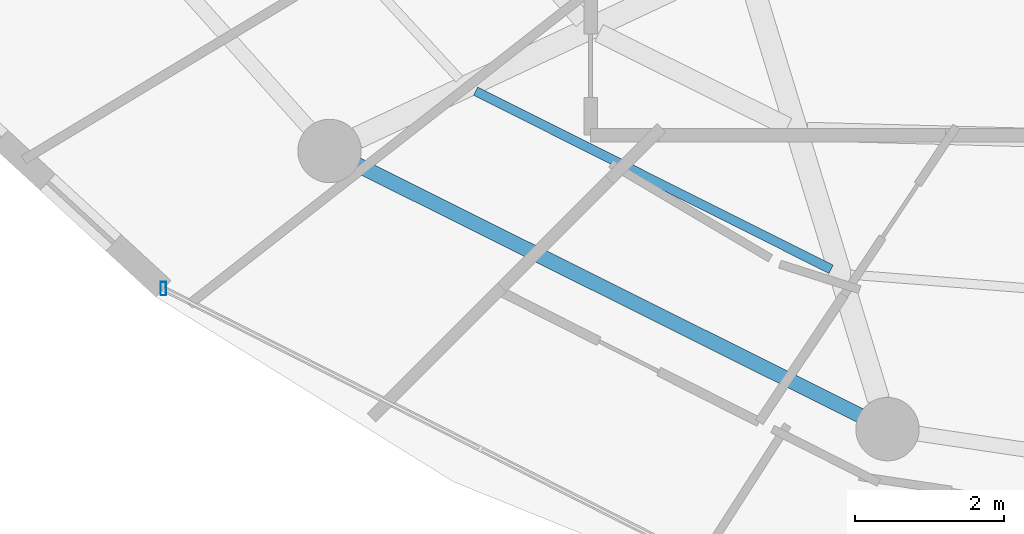
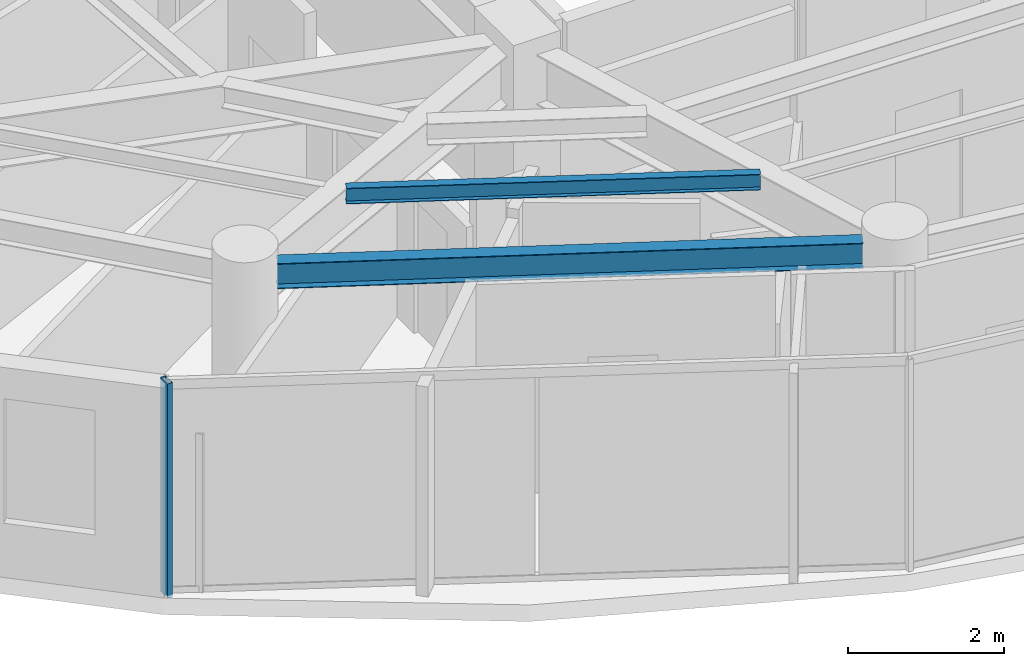
# One storey, part 2 of 29: 2 beams, 1 member, 1 element without a shape of its own.
"""IFC4 building model written with IfcOpenShell, lengths in metres."""

import ifcopenshell
import ifcopenshell.guid

model = None  # the IFC model being written
_history = None  # IfcOwnerHistory: only IFC2X3 demands one
_inside = {}  # id of a spatial element -> (the spatial element, [elements in it])
_under = {}  # id of a project, library or spatial element -> (it, [spatial elements below it])
_declared = {}  # id of a project -> (the project, [libraries it declares])
_typed = {}  # id of a type object -> (the type object, [elements of that type])
_made_of = {}  # id of a material, layer set ... -> (it, [elements and type objects made of it])


def new_model(schema):
    """Start an empty IFC model of exactly this schema.

    Asked for "IFC4X3", IfcOpenShell would pick the latest addendum, in which some entities
    have other attributes; the version numbers below select the first issue.
    IFC2X3 requires an IfcOwnerHistory on every rooted entity: one is made here for all.
    """
    global model, _history
    if schema == "IFC4X3":
        model = ifcopenshell.file(schema_version=(4, 3, 0, 0))
    else:
        model = ifcopenshell.file(schema=schema)
    _inside.clear()
    _under.clear()
    _declared.clear()
    _typed.clear()
    _made_of.clear()
    _history = None
    if model.schema == "IFC2X3":
        org = make("IfcOrganization", Name="unknown")
        user = make(
            "IfcPersonAndOrganization",
            ThePerson=make("IfcPerson", FamilyName="unknown"),
            TheOrganization=org,
        )
        app = make(
            "IfcApplication",
            ApplicationDeveloper=org,
            Version="unknown",
            ApplicationFullName="unknown",
            ApplicationIdentifier="unknown",
        )
        _history = make(
            "IfcOwnerHistory",
            OwningUser=user,
            OwningApplication=app,
            ChangeAction="ADDED",
            CreationDate=0,
        )
    return model


def make(cls, **values):
    """One entity of the class cls with the attributes given. An attribute that is None is left unset."""
    return model.create_entity(
        cls, **{name: value for name, value in values.items() if value is not None}
    )


def rooted(cls, **values):
    """An entity with a GlobalId (a new one), such as an element, a storey or a relation."""
    return make(cls, GlobalId=ifcopenshell.guid.new(), OwnerHistory=_history, **values)


def si_unit(unit_type, name, prefix=None):
    """IfcSIUnit, for example si_unit("LENGTHUNIT", "METRE", prefix="MILLI")."""
    return make("IfcSIUnit", UnitType=unit_type, Prefix=prefix, Name=name)


def assignment(units):
    """IfcUnitAssignment: the units of a project."""
    return None if units is None else make("IfcUnitAssignment", Units=units)


def point(xyz):
    """IfcCartesianPoint."""
    return None if xyz is None else make("IfcCartesianPoint", Coordinates=xyz)


def direction(xyz):
    """IfcDirection."""
    return None if xyz is None else make("IfcDirection", DirectionRatios=xyz)


def frame(location, z_axis=None, x_axis=None):
    """IfcAxis2Placement3D, a coordinate frame: its origin and axes. An axis left out is left unset."""
    return make(
        "IfcAxis2Placement3D",
        Location=point(location),
        Axis=direction(z_axis),
        RefDirection=direction(x_axis),
    )


def frame_2d(location, x_axis=None):
    """IfcAxis2Placement2D, a coordinate frame in the plane: its origin and x axis."""
    return make(
        "IfcAxis2Placement2D", Location=point(location), RefDirection=direction(x_axis)
    )


def origin():
    """The frame at (0, 0, 0) with its axes left unset."""
    return frame((0.0, 0.0, 0.0))


def origin_2d():
    """The frame at (0, 0) in the plane with its x axis left unset."""
    return frame_2d((0.0, 0.0))


def place(relative_to, where):
    """IfcLocalPlacement: puts the frame where relative to a parent placement (None: the world)."""
    return make(
        "IfcLocalPlacement", PlacementRelTo=relative_to, RelativePlacement=where
    )


def context(
    kind, dimensions, precision=None, world=None, true_north=None, identifier=None
):
    """IfcGeometricRepresentationContext, for example the 3D "Model" context."""
    return make(
        "IfcGeometricRepresentationContext",
        ContextIdentifier=identifier,
        ContextType=kind,
        CoordinateSpaceDimension=dimensions,
        Precision=precision,
        WorldCoordinateSystem=world,
        TrueNorth=true_north,
    )


def subcontext(parent, identifier, kind, view, scale=None):
    """IfcGeometricRepresentationSubContext, for example "Body" below "Model"."""
    return make(
        "IfcGeometricRepresentationSubContext",
        ContextIdentifier=identifier,
        ContextType=kind,
        ParentContext=parent,
        TargetScale=scale,
        TargetView=view,
    )


def project(units=None, contexts=None):
    """IfcProject with its units and contexts."""
    return rooted(
        "IfcProject",
        Name="project",
        RepresentationContexts=contexts,
        UnitsInContext=assignment(units),
    )


def spatial(cls, under=None, at=None, **own):
    """A site, building, storey or space (cls), placed at a placement, below another one or the project."""
    s = rooted(cls, ObjectPlacement=at, **own)
    if under is not None:
        _under.setdefault(under.id(), (under, []))[1].append(s)
    return s


def profile(cls, at=None, kind="AREA", **sizes):
    """A parametric profile (cls). Its sizes go by their IFC names, for example OverallWidth=200.0."""
    return make(cls, ProfileType=kind, Position=at, **sizes)


def hollow_rectangle(**sizes):
    """IfcRectangleHollowProfileDef."""
    return profile("IfcRectangleHollowProfileDef", **sizes)


def i_section(**sizes):
    """IfcIShapeProfileDef."""
    return profile("IfcIShapeProfileDef", **sizes)


def extrude(swept, where, along, depth):
    """IfcExtrudedAreaSolid: the profile swept, set in the frame where, extruded along a direction by depth."""
    return make(
        "IfcExtrudedAreaSolid",
        SweptArea=swept,
        Position=where,
        ExtrudedDirection=direction(along),
        Depth=depth,
    )


def shape(context_of_items, identifier, shape_type, items):
    """IfcShapeRepresentation: the items that make up one representation, for example the "Body"."""
    return make(
        "IfcShapeRepresentation",
        ContextOfItems=context_of_items,
        RepresentationIdentifier=identifier,
        RepresentationType=shape_type,
        Items=items,
    )


def material(Name=None, Category=None):
    """IfcMaterial."""
    return make("IfcMaterial", Name=Name, Category=Category)


def material_profile(
    of_material, cross_section, Name=None, Category=None, Priority=None
):
    """IfcMaterialProfile: a cross section and its material."""
    return make(
        "IfcMaterialProfile",
        Name=Name,
        Material=of_material,
        Profile=cross_section,
        Priority=Priority,
        Category=Category,
    )


def profile_set(profiles, Name=None, composite=None):
    """IfcMaterialProfileSet."""
    return make(
        "IfcMaterialProfileSet",
        Name=Name,
        MaterialProfiles=profiles,
        CompositeProfile=composite,
    )


def made_of(thing, what):
    """Note that an element or type object is made of a material, layer set ...; save() writes the relation."""
    if what is not None:
        _made_of.setdefault(what.id(), (what, []))[1].append(thing)
    return thing


def type_object(cls, material=None, **own):
    """A type object (cls), such as IfcWallType, which elements share."""
    return made_of(rooted(cls, **own), material)


def element(
    cls,
    number,
    at=None,
    inside=None,
    cuts=None,
    type_object=None,
    material=None,
    context=None,
    identifier="Body",
    shape_type=None,
    held_by="IfcProductDefinitionShape",
    body=None,
    shapes=None,
    **own,
):
    """One element of the class cls, such as IfcWall. Its Tag is "e" and its number.

    at: its placement. inside: the storey or other place that contains it. cuts: it is an
    opening in that element (IfcRelVoidsElement). A single representation is given by context,
    identifier, shape_type and body (its items); several are given by shapes. held_by: the class
    of the entity that holds the representations. save() writes the other relations.
    """
    e = rooted(cls, Tag="e%d" % number, ObjectPlacement=at, **own)
    if body is not None:
        shapes = [shape(context, identifier, shape_type, body)]
    if shapes is not None:
        e.Representation = make(held_by, Representations=shapes)
    if inside is not None:
        _inside.setdefault(inside.id(), (inside, []))[1].append(e)
    if cuts is not None:
        rooted(
            "IfcRelVoidsElement", RelatingBuildingElement=cuts, RelatedOpeningElement=e
        )
    if type_object is not None:
        _typed.setdefault(type_object.id(), (type_object, []))[1].append(e)
    return made_of(e, material)


def aggregate(whole, parts):
    """IfcRelAggregates: a whole, such as a stair, and the parts it consists of."""
    return rooted("IfcRelAggregates", RelatingObject=whole, RelatedObjects=parts)


def save(model, path):
    """Write the relations noted so far, then the file.

    IfcRelAggregates (storeys below a building ...), IfcRelContainedInSpatialStructure (elements
    in a storey), IfcRelDefinesByType, IfcRelAssociatesMaterial and IfcRelDeclares: one each for
    every whole, place, type object, material and project.
    """
    for whole, parts in _under.values():
        aggregate(whole, parts)
    for where, things in _inside.values():
        rooted(
            "IfcRelContainedInSpatialStructure",
            RelatedElements=things,
            RelatingStructure=where,
        )
    for kind, things in _typed.values():
        rooted("IfcRelDefinesByType", RelatedObjects=things, RelatingType=kind)
    for what, things in _made_of.values():
        rooted("IfcRelAssociatesMaterial", RelatedObjects=things, RelatingMaterial=what)
    for by, libraries in _declared.values():
        rooted("IfcRelDeclares", RelatingContext=by, RelatedDefinitions=libraries)
    model.write(path)


model = new_model("IFC4")

# Units and contexts
model_context = context("Model", 3, precision=1e-05, world=origin(), true_north=direction((0.0, 1.0)))
body_context = subcontext(model_context, "Body", "Model", "MODEL_VIEW")
ifc_project = project(units=[si_unit("LENGTHUNIT", "METRE"), si_unit("AREAUNIT", "SQUARE_METRE"), si_unit("VOLUMEUNIT", "CUBIC_METRE"), si_unit("PLANEANGLEUNIT", "RADIAN"), si_unit("MASSUNIT", "GRAM", prefix="KILO")], contexts=[model_context])

# Site, building, storey
site_placement = place(None, origin())
site = spatial("IfcSite", under=ifc_project, at=site_placement, CompositionType="ELEMENT")
building_placement = place(site_placement, origin())
building = spatial("IfcBuilding", under=site, at=building_placement, Name="Vorneva Point Tower", CompositionType="ELEMENT")
storey_placement = place(building_placement, frame((0.0, 0.0, 255.550048828125)))
storey = spatial("IfcBuildingStorey", under=building, at=storey_placement, Name="L69", CompositionType="ELEMENT", Elevation=255.550048828125)

# Beams
ifc_material_1 = material(Name="Steel S355", Category="steel")
ifc_material_profile_1 = material_profile(ifc_material_1, i_section(OverallWidth=0.1240234375, OverallDepth=0.248046875, WebThickness=0.0048828125, FlangeThickness=0.008056640625, at=origin_2d()), Name="25B1")
ifc_profile_set_1 = profile_set([ifc_material_profile_1], Name="Steel S355")
beam_type_1 = type_object("IfcBeamType", Name="BM-JST-25B1", PredefinedType="JOIST", material=ifc_profile_set_1)
beam_1_placement = place(storey_placement, frame((23.658447265625, 14.639404296875, 3.166015625), z_axis=(0.894042010331, -0.447983128883, 0.0), x_axis=(0.447983128883, 0.894042010331, 0.0)))
element("IfcBeam", 1, at=beam_1_placement, inside=storey, type_object=beam_type_1, Name="L69 Secondary Floor Beam 1.11", PredefinedType="JOIST", context=body_context, shape_type="SweptSolid", body=[
    extrude(i_section(OverallWidth=0.1240234375, OverallDepth=0.248046875, WebThickness=0.0048828125, FlangeThickness=0.008056640625, at=origin_2d()), origin(), (0.0, 0.0, 1.0), 5.328857421875),
])
ifc_material_profile_2 = material_profile(ifc_material_1, i_section(OverallWidth=0.198974609375, OverallDepth=0.39599609375, WebThickness=0.007080078125, FlangeThickness=0.010986328125, at=origin_2d()), Name="40B1")
ifc_profile_set_2 = profile_set([ifc_material_profile_2], Name="Steel S355")
beam_type_2 = type_object("IfcBeamType", Name="BM-SPN-40B1", PredefinedType="SPANDREL", material=ifc_profile_set_2)
beam_2_placement = place(storey_placement, frame((22.068115234375, 13.65478515625, 3.092041015625), z_axis=(0.894932011528, -0.446202526599, 0.0), x_axis=(0.446202526599, 0.894932011528, 0.0)))
element("IfcBeam", 2, at=beam_2_placement, inside=storey, type_object=beam_type_2, Name="L69 Perimeter Spandrel Ring Beam 11", PredefinedType="SPANDREL", context=body_context, shape_type="SweptSolid", body=[
    extrude(i_section(OverallWidth=0.198974609375, OverallDepth=0.39599609375, WebThickness=0.007080078125, FlangeThickness=0.010986328125, at=origin_2d()), origin(), (0.0, 0.0, 1.0), 7.535888671875),
])

# Curtain wall, member
ifc_material_2 = material(Name="Pale anodised aluminium", Category="aluminium")
curtain_wall_type = type_object("IfcCurtainWallType", Name="CW-RES-SYS", PredefinedType="NOTDEFINED", material=ifc_material_2)
curtain_wall_placement = place(storey_placement, origin())
curtain_wall = element("IfcCurtainWall", 3, at=curtain_wall_placement, inside=storey, type_object=curtain_wall_type, Name="L69 Unitised Curtain Wall CW-L69-R04", PredefinedType="NOTDEFINED")
ifc_material_profile_3 = material_profile(ifc_material_2, hollow_rectangle(XDim=0.074951171875, YDim=0.179931640625, WallThickness=0.00390625, at=origin_2d()), Name="AL-MUL 180x75x4")
ifc_profile_set_3 = profile_set([ifc_material_profile_3], Name="Pale anodised aluminium")
member_type = type_object("IfcMemberType", Name="CW-MUL-180", PredefinedType="MULLION", material=ifc_profile_set_3)
member_placement = place(storey_placement, frame((19.473876953125, 11.9921875, -0.0400390625), z_axis=(0.0, 0.0, 1.0), x_axis=(1.0, 0.0, 0.0)))
member = element("IfcMember", 4, at=member_placement, type_object=member_type, Name="CW-L69-R04 Mullion 01", PredefinedType="MULLION", context=body_context, shape_type="SweptSolid", body=[
    extrude(hollow_rectangle(XDim=0.074951171875, YDim=0.179931640625, WallThickness=0.00390625, at=origin_2d()), origin(), (0.0, 0.0, 1.0), 3.360107421875),
])
aggregate(curtain_wall, [member])

save(model, "model.ifc")
